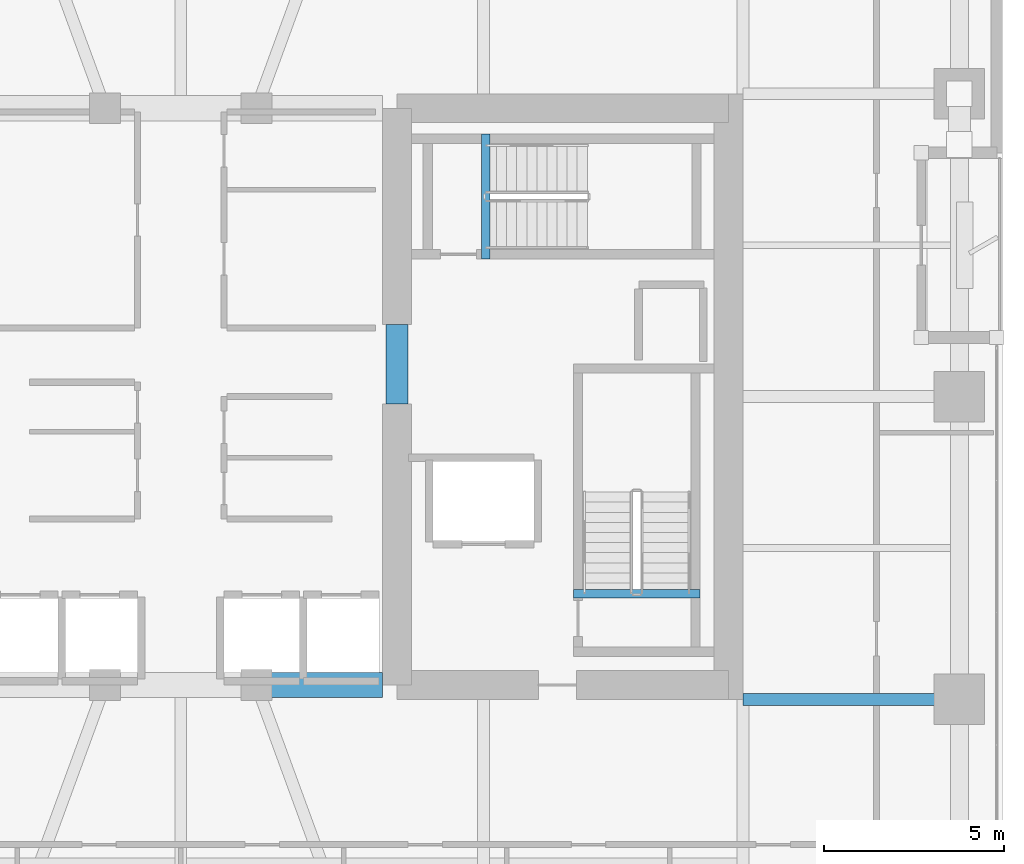
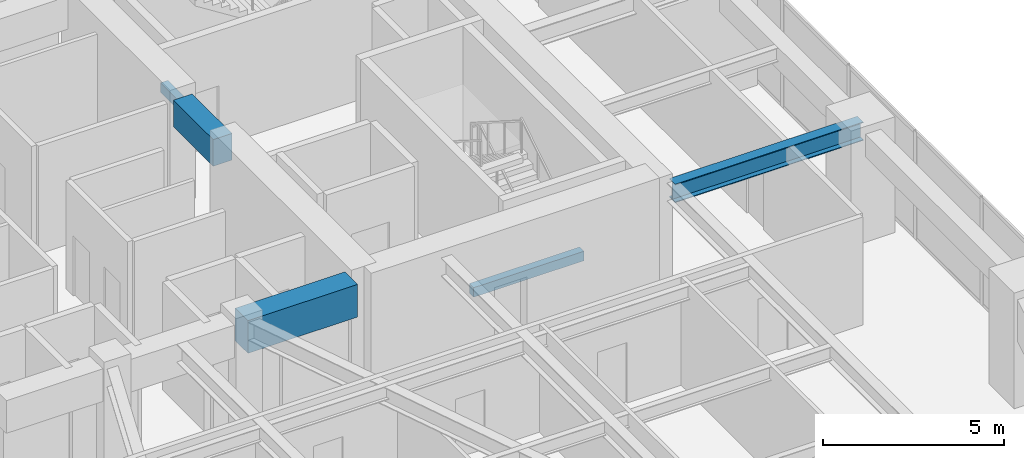
# One storey, part 5 of 24: 5 beams.
"""IFC4 building model written with IfcOpenShell, lengths in metres."""

from ifc_helpers import new_model, si_unit, direction, frame, origin, origin_2d, place, context, subcontext, project, spatial, rectangle, i_section, extrude, material, material_profile, profile_set, type_object, element, save


model = new_model("IFC4")

# Units and contexts
model_context = context("Model", 3, precision=1e-05, world=origin(), true_north=direction((0.0, 1.0)))
body_context = subcontext(model_context, "Body", "Model", "MODEL_VIEW")
ifc_project = project(units=[si_unit("LENGTHUNIT", "METRE"), si_unit("AREAUNIT", "SQUARE_METRE"), si_unit("VOLUMEUNIT", "CUBIC_METRE"), si_unit("PLANEANGLEUNIT", "RADIAN"), si_unit("MASSUNIT", "GRAM", prefix="KILO")], contexts=[model_context])

# Site, building, storey
site_placement = place(None, origin())
site = spatial("IfcSite", under=ifc_project, at=site_placement, CompositionType="ELEMENT")
building_placement = place(site_placement, origin())
building = spatial("IfcBuilding", under=site, at=building_placement, Name="Kiyonajd Concourse Tower", CompositionType="ELEMENT")
storey_placement = place(building_placement, frame((0.0, 0.0, 113.10009765625)))
storey = spatial("IfcBuildingStorey", under=building, at=storey_placement, Name="L29", CompositionType="ELEMENT", Elevation=113.10009765625)

# Beams
ifc_material_1 = material(Name="Concrete C70/85", Category="concrete")
ifc_material_profile_1 = material_profile(ifc_material_1, rectangle(XDim=0.699951171875, YDim=1.10009765625, at=origin_2d()), Name="RCBM-700x1100")
ifc_profile_set_1 = profile_set([ifc_material_profile_1], Name="Concrete C70/85")
beam_type_1 = type_object("IfcBeamType", Name="BM-COUP-1100", PredefinedType="LINTEL", material=ifc_profile_set_1)
beam_1_placement = place(storey_placement, frame((50.10009765625, 28.0, 3.08984375), z_axis=(1.0, 0.0, 0.0), x_axis=(0.0, 1.0, 0.0)))
element("IfcBeam", 1, at=beam_1_placement, inside=storey, type_object=beam_type_1, Name="L29 Core Coupling Beam S3", PredefinedType="LINTEL", context=body_context, shape_type="SweptSolid", body=[
    extrude(rectangle(XDim=0.699951171875, YDim=1.10009765625, at=origin_2d()), origin(), (0.0, 0.0, 1.0), 3.5),
])
ifc_material_2 = material(Name="Concrete C60/75", Category="concrete")
ifc_material_profile_2 = material_profile(ifc_material_2, rectangle(XDim=0.60009765625, YDim=0.89990234375, at=origin_2d()), Name="RCBM-600x900")
ifc_profile_set_2 = profile_set([ifc_material_profile_2], Name="Concrete C60/75")
beam_type_2 = type_object("IfcBeamType", Name="BM-COUP-900", PredefinedType="LINTEL", material=ifc_profile_set_2)
beam_2_placement = place(storey_placement, frame((54.0, 35.800048828125, 3.08984375), z_axis=(0.0, 1.0, 0.0), x_axis=(-1.0, 0.0, 0.0)))
element("IfcBeam", 2, at=beam_2_placement, inside=storey, type_object=beam_type_2, Name="L29 East Core Throat Coupling Lintel", PredefinedType="LINTEL", context=body_context, shape_type="SweptSolid", body=[
    extrude(rectangle(XDim=0.60009765625, YDim=0.89990234375, at=origin_2d()), origin(), (0.0, 0.0, 1.0), 2.199951171875),
])
ifc_material_3 = material(Name="Concrete C50/60", Category="concrete")
ifc_material_profile_3 = material_profile(ifc_material_3, rectangle(XDim=0.239990234375, YDim=0.320068359375, at=origin_2d()), Name="RCBM-240x320")
ifc_profile_set_3 = profile_set([ifc_material_profile_3], Name="Concrete C50/60")
beam_type_3 = type_object("IfcBeamType", Name="BM-LNT-250", PredefinedType="LINTEL", material=ifc_profile_set_3)
beam_3_placement = place(storey_placement, frame((58.889892578125, 30.530029296875, -0.16015625), z_axis=(1.0, 0.0, 0.0), x_axis=(0.0, 1.0, 0.0)))
element("IfcBeam", 3, at=beam_3_placement, inside=storey, type_object=beam_type_3, Name="L29 Stair ST2 Threshold Support Beam", PredefinedType="LINTEL", context=body_context, shape_type="SweptSolid", body=[
    extrude(rectangle(XDim=0.239990234375, YDim=0.320068359375, at=origin_2d()), origin(), (0.0, 0.0, 1.0), 3.52001953125),
])
beam_4_placement = place(storey_placement, frame((56.4599609375, 39.820068359375, -0.16015625), z_axis=(0.0, 1.0, 0.0), x_axis=(-1.0, 0.0, 0.0)))
element("IfcBeam", 4, at=beam_4_placement, inside=storey, type_object=beam_type_3, Name="L29 Stair ST3 Threshold Support Beam", PredefinedType="LINTEL", context=body_context, shape_type="SweptSolid", body=[
    extrude(rectangle(XDim=0.239990234375, YDim=0.320068359375, at=origin_2d()), origin(), (0.0, 0.0, 1.0), 3.4599609375),
])
ifc_material_4 = material(Name="Steel ASTM A992 Grade 50", Category="steel")
ifc_material_profile_4 = material_profile(ifc_material_4, i_section(OverallWidth=0.326904296875, OverallDepth=0.6220703125, WebThickness=0.015380859375, FlangeThickness=0.0244140625, at=origin_2d()), Name="W610X195")
ifc_profile_set_4 = profile_set([ifc_material_profile_4], Name="Steel ASTM A992 Grade 50")
beam_type_4 = type_object("IfcBeamType", Name="BM-TWR-610A", PredefinedType="BEAM", material=ifc_profile_set_4)
beam_5_placement = place(storey_placement, frame((63.60009765625, 27.60009765625, 3.328857421875), z_axis=(1.0, 0.0, 0.0), x_axis=(0.0, 1.0, 0.0)))
element("IfcBeam", 5, at=beam_5_placement, inside=storey, type_object=beam_type_4, Name="L29 East Lease Girder", PredefinedType="BEAM", context=body_context, shape_type="SweptSolid", body=[
    extrude(i_section(OverallWidth=0.326904296875, OverallDepth=0.6220703125, WebThickness=0.015380859375, FlangeThickness=0.0244140625, at=origin_2d()), origin(), (0.0, 0.0, 1.0), 6.0),
])

save(model, "model.ifc")
